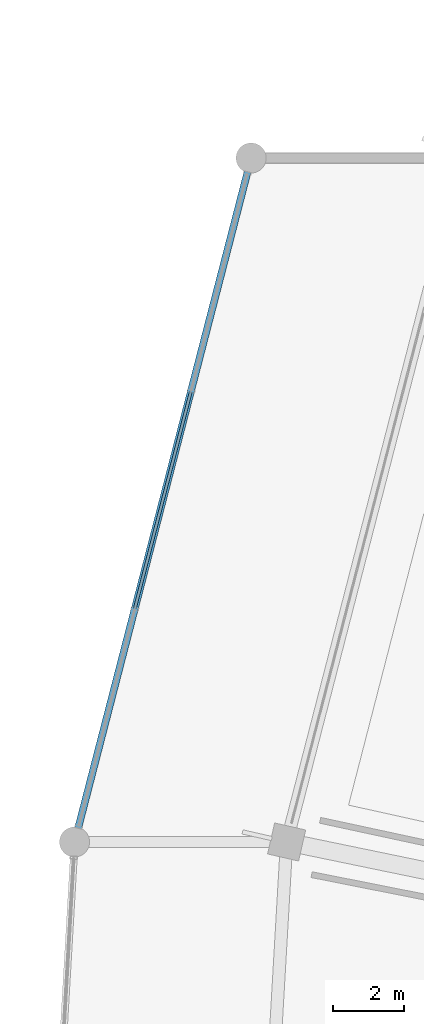
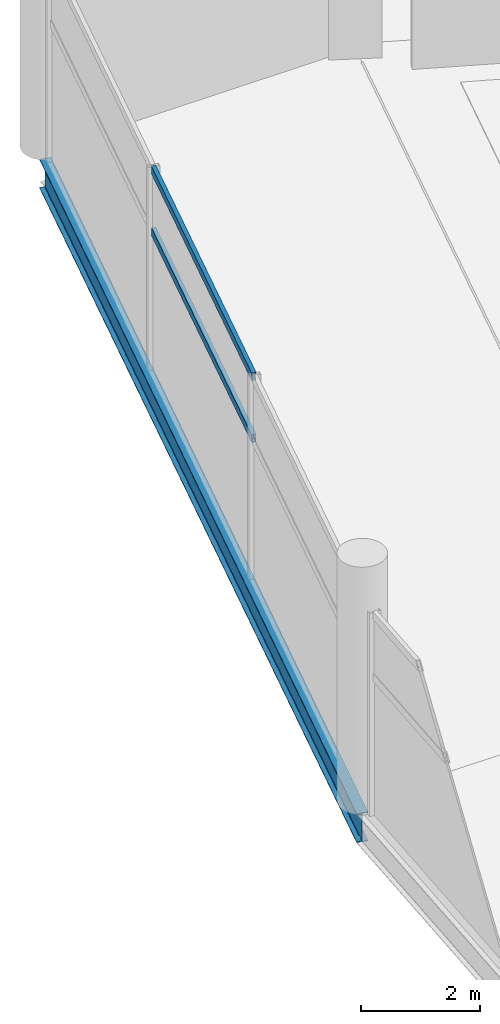
# One storey, part 51 of 184: 2 members, 1 beam, 1 element without a shape of its own.
"""IFC4 building model written with IfcOpenShell, lengths in metres."""

from ifc_helpers import new_model, si_unit, direction, frame, origin, origin_2d, place, context, subcontext, project, spatial, hollow_rectangle, i_section, extrude, material, layer, layer_set, material_profile, profile_set, type_object, element, aggregate, save


model = new_model("IFC4")

# Units and contexts
model_context = context("Model", 3, precision=1e-05, world=origin(), true_north=direction((0.0, 1.0)))
body_context = subcontext(model_context, "Body", "Model", "MODEL_VIEW")
ifc_project = project(units=[si_unit("LENGTHUNIT", "METRE"), si_unit("AREAUNIT", "SQUARE_METRE"), si_unit("VOLUMEUNIT", "CUBIC_METRE"), si_unit("PLANEANGLEUNIT", "RADIAN"), si_unit("MASSUNIT", "GRAM", prefix="KILO")], contexts=[model_context])

# Site, building, storey
site_placement = place(None, origin())
site = spatial("IfcSite", under=ifc_project, at=site_placement, CompositionType="ELEMENT")
building_placement = place(site_placement, origin())
building = spatial("IfcBuilding", under=site, at=building_placement, Name="Kazemori Nagisa Stadium", CompositionType="ELEMENT")
storey_placement = place(building_placement, frame((0.0, 0.0, 10.5400390625)))
storey = spatial("IfcBuildingStorey", under=building, at=storey_placement, Name="L02", CompositionType="ELEMENT", Elevation=10.5400390625)

# Beam
ifc_material_1 = material(Name="Steel SN490B", Category="steel")
ifc_material_profile_1 = material_profile(ifc_material_1, i_section(OverallWidth=0.199951171875, OverallDepth=0.60009765625, WebThickness=0.010986328125, FlangeThickness=0.01708984375, FilletRadius=0.012939453125, at=origin_2d()), Name="H-600x200x11x17")
ifc_profile_set_1 = profile_set([ifc_material_profile_1], Name="Steel SN490B")
beam_type = type_object("IfcBeamType", Name="Beam_BS-H600", PredefinedType="SPANDREL", material=ifc_profile_set_1)
beam_placement = place(storey_placement, frame((28.114990234375, 140.74951171875, -0.553955078125), z_axis=(-0.249964097999, -0.968255105699, 0.0), x_axis=(0.968255105699, -0.249964097999, 0.0)))
element("IfcBeam", 1, at=beam_placement, inside=storey, type_object=beam_type, Name="Boulevard edge beam BS-H600 L02 R4-13", PredefinedType="SPANDREL", context=body_context, shape_type="SweptSolid", body=[
    extrude(i_section(OverallWidth=0.199951171875, OverallDepth=0.60009765625, WebThickness=0.010986328125, FlangeThickness=0.01708984375, FilletRadius=0.012939453125, at=origin_2d()), origin(), (0.0, 0.0, 1.0), 19.986328125),
])

# Curtain wall, members
ifc_material_2 = material(Name="Anodised aluminium 6063-T5", Category="aluminium")
ifc_layer = layer(ifc_material_2, 0.2099609375, Name="Anodised aluminium 6063-T5", Category="aluminium")
ifc_layer_set = layer_set([ifc_layer], Name="Anodised aluminium 6063-T5")
curtain_wall_type = type_object("IfcCurtainWallType", Name="CW_L02R3_96", PredefinedType="USERDEFINED", material=ifc_layer_set)
curtain_wall_placement = place(storey_placement, origin())
curtain_wall = element("IfcCurtainWall", 2, at=curtain_wall_placement, inside=storey, type_object=curtain_wall_type, Name="Unitised curtain wall CW-L02R3-96 L02", ObjectType="UNITISED CURTAIN WALL", PredefinedType="USERDEFINED")
ifc_material_3 = material(Name="Aluminium 6063-T5 anodised", Category="aluminium")
ifc_material_profile_2 = material_profile(ifc_material_3, hollow_rectangle(XDim=0.080078125, YDim=0.159912109375, WallThickness=0.00390625, at=origin_2d()), Name="ALU-TRAN-80x160x4")
ifc_profile_set_2 = profile_set([ifc_material_profile_2], Name="Aluminium 6063-T5 anodised")
member_type = type_object("IfcMemberType", Name="Transom_T02", PredefinedType="USERDEFINED", material=ifc_profile_set_2)
member_1_placement = place(storey_placement, frame((26.40771484375, 134.135986328125, 2.84912109375), z_axis=(-0.249948056089, -0.968259246926, 0.0), x_axis=(0.968259246926, -0.249948056089, 0.0)))
member_1 = element("IfcMember", 3, at=member_1_placement, type_object=member_type, Name="Curtain wall transom CW-L02R3-96-T2-mid", ObjectType="TRANSOM", PredefinedType="USERDEFINED", context=body_context, shape_type="SweptSolid", body=[
    extrude(hollow_rectangle(XDim=0.080078125, YDim=0.159912109375, WallThickness=0.00390625, at=origin_2d()), origin(), (0.0, 0.0, 1.0), 6.325439453125),
])
member_2_placement = place(storey_placement, frame((26.40771484375, 134.135986328125, 4.119873046875), z_axis=(-0.249948056089, -0.968259246926, 0.0), x_axis=(0.968259246926, -0.249948056089, 0.0)))
member_2 = element("IfcMember", 4, at=member_2_placement, type_object=member_type, Name="Curtain wall transom CW-L02R3-96-T2-head", ObjectType="TRANSOM", PredefinedType="USERDEFINED", context=body_context, shape_type="SweptSolid", body=[
    extrude(hollow_rectangle(XDim=0.080078125, YDim=0.159912109375, WallThickness=0.00390625, at=origin_2d()), origin(), (0.0, 0.0, 1.0), 6.325439453125),
])
aggregate(curtain_wall, [member_1, member_2])

save(model, "model.ifc")
